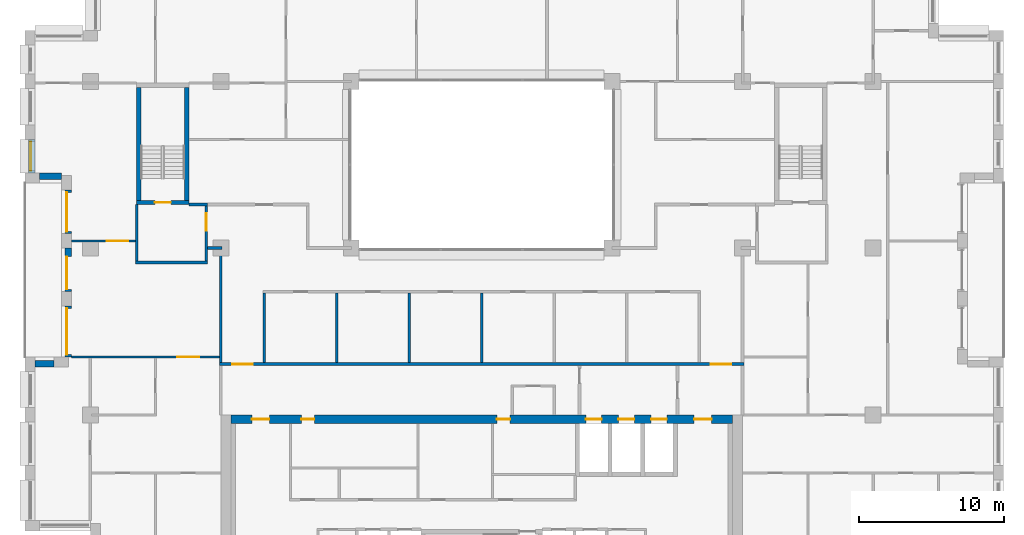
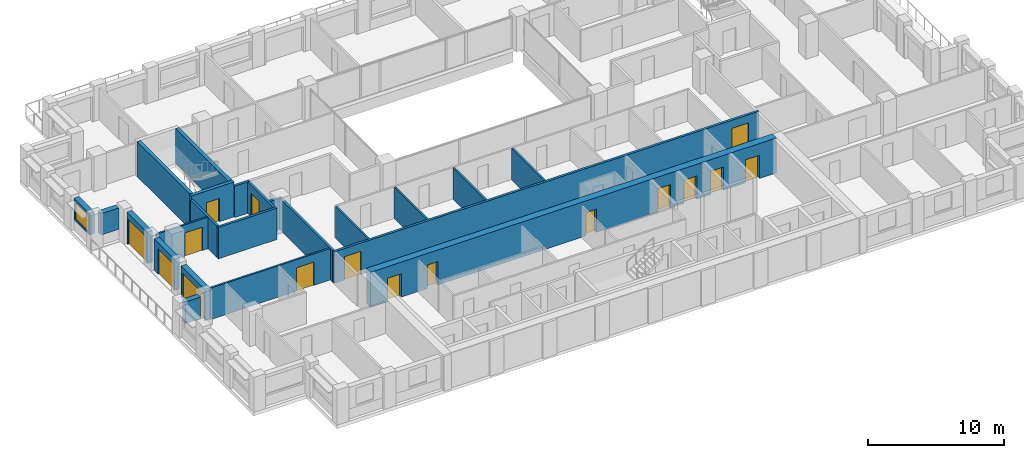
# One storey, part 9 of 15: 23 walls, 16 doors, 1 window, 17 openings.
"""IFC4 building model written with IfcOpenShell, lengths in metres."""

from ifc_helpers import new_model, si_unit, direction, frame, frame_2d, origin, place, context, subcontext, project, spatial, rectangle, extrude, material, layer, layer_set, type_object, element, fill, save


model = new_model("IFC4")

# Units and contexts
model_context = context("Model", 3, precision=1e-05, world=origin(), true_north=direction((0.0, 1.0)))
body_context = subcontext(model_context, "Body", "Model", "MODEL_VIEW")
ifc_project = project(units=[si_unit("LENGTHUNIT", "METRE"), si_unit("AREAUNIT", "SQUARE_METRE"), si_unit("VOLUMEUNIT", "CUBIC_METRE"), si_unit("PLANEANGLEUNIT", "RADIAN"), si_unit("MASSUNIT", "GRAM", prefix="KILO")], contexts=[model_context])

# Site, building, storey
site_placement = place(None, origin())
site = spatial("IfcSite", under=ifc_project, at=site_placement, CompositionType="ELEMENT")
building_placement = place(site_placement, origin())
building = spatial("IfcBuilding", under=site, at=building_placement, Name="Brigalow Station Residences", CompositionType="ELEMENT")
storey_placement = place(building_placement, frame((0.0, 0.0, 157.050048828125)))
storey = spatial("IfcBuildingStorey", under=building, at=storey_placement, Name="L45", CompositionType="ELEMENT", Elevation=157.050048828125)

# Wall, opening, window
ifc_material_1 = material(Name="Clay brick masonry", Category="masonry")
ifc_layer_1 = layer(ifc_material_1, 0.449951171875)
ifc_layer_set_1 = layer_set([ifc_layer_1], Name="BRICK INFILL WALL 450")
wall_type_1 = type_object("IfcWallType", Name="BRICK INFILL WALL 450", PredefinedType="SOLIDWALL", material=ifc_layer_set_1)
wall_1_placement = place(storey_placement, frame((4.97509765625, 31.5, 0.89990234375), z_axis=(0.0, 0.0, 1.0), x_axis=(0.0, -1.0, 0.0)))
wall_1 = element("IfcWall", 1, at=wall_1_placement, inside=storey, type_object=wall_type_1, Name="L45/ewall/W-L45-39", PredefinedType="SOLIDWALL", context=body_context, shape_type="SweptSolid", body=[
    extrude(rectangle(XDim=2.300048828125, YDim=0.449951171875, at=frame_2d((1.14990234375, 0.0))), origin(), (0.0, 0.0, 1.0), 1.929931640625),
])
opening_1_placement = place(wall_1_placement, frame((0.14990234375, 0.0, 0.14990234375)))
opening_1 = element("IfcOpeningElement", 2, at=opening_1_placement, cuts=wall_1, Name="Opening WT-7", PredefinedType="OPENING", context=body_context, shape_type="SweptSolid", body=[
    extrude(rectangle(XDim=2.0, YDim=1.5, at=frame_2d((1.0, 0.75))), frame((0.0, 0.23486328125, 0.0), z_axis=(0.0, -1.0, 0.0), x_axis=(1.0, 0.0, 0.0)), (0.0, 0.0, 1.0), 0.469970703125),
])
ifc_material_2 = material(Name="Anodised aluminium frame with double glazing", Category="aluminium")
window_type = type_object("IfcWindowType", Name="WINDOW 2000x1500", PartitioningType="SINGLE_PANEL", PredefinedType="WINDOW", material=ifc_material_2)
window_placement = place(opening_1_placement, origin())
window = element("IfcWindow", 3, at=window_placement, inside=storey, type_object=window_type, Name="L45/window/W-L45-39", OverallHeight=1.5, OverallWidth=2.0, PartitioningType="SINGLE_PANEL", PredefinedType="WINDOW", context=body_context, shape_type="SweptSolid", body=[
    extrude(rectangle(XDim=2.0, YDim=1.5, at=frame_2d((1.0, 0.75))), frame((0.0, -0.06494140625, 0.0), z_axis=(0.0, -1.0, 0.0), x_axis=(1.0, 0.0, 0.0)), (0.0, 0.0, 1.0), 0.06005859375),
])
fill(opening_1, window)

# Wall
wall_2_placement = place(storey_placement, frame((5.5, 28.97509765625, 0.89990234375), z_axis=(0.0, 0.0, 1.0), x_axis=(1.0, 0.0, 0.0)))
element("IfcWall", 4, at=wall_2_placement, inside=storey, type_object=wall_type_1, Name="L45/ewall/W-L45-40", PredefinedType="SOLIDWALL", context=body_context, shape_type="SweptSolid", body=[
    extrude(rectangle(XDim=1.5, YDim=0.449951171875, at=frame_2d((0.75, 0.0))), origin(), (0.0, 0.0, 1.0), 1.929931640625),
])

# Wall, opening, door
wall_3_placement = place(storey_placement, frame((7.47509765625, 28.0, 0.0), z_axis=(0.0, 0.0, 1.0), x_axis=(0.0, -1.0, 0.0)))
wall_3 = element("IfcWall", 5, at=wall_3_placement, inside=storey, type_object=wall_type_1, Name="L45/ewall/W-L45-41", PredefinedType="SOLIDWALL", context=body_context, shape_type="SweptSolid", body=[
    extrude(rectangle(XDim=3.0, YDim=0.449951171875, at=frame_2d((1.5, 0.0))), origin(), (0.0, 0.0, 1.0), 2.829833984375),
])
opening_2_placement = place(wall_3_placement, frame((0.14990234375, 0.0, 0.0)))
opening_2 = element("IfcOpeningElement", 6, at=opening_2_placement, cuts=wall_3, Name="Opening D-B2700", PredefinedType="OPENING", context=body_context, shape_type="SweptSolid", body=[
    extrude(rectangle(XDim=2.699951171875, YDim=2.300048828125, at=frame_2d((1.35009765625, 1.14990234375))), frame((0.0, 0.23486328125, 0.0), z_axis=(0.0, -1.0, 0.0), x_axis=(1.0, 0.0, 0.0)), (0.0, 0.0, 1.0), 0.469970703125),
])
ifc_material_3 = material(Name="Anodised aluminium frame with double glazing", Category="aluminium")
door_type_1 = type_object("IfcDoorType", Name="BALCONY SLIDING DOOR 2700x2300", OperationType="SLIDING_TO_LEFT", PredefinedType="DOOR", material=ifc_material_3)
door_1_placement = place(opening_2_placement, origin())
door_1 = element("IfcDoor", 7, at=door_1_placement, inside=storey, type_object=door_type_1, Name="L45/balcony-door/W-L45-41", OperationType="SLIDING_TO_LEFT", OverallHeight=2.300048828125, OverallWidth=2.699951171875, PredefinedType="DOOR", context=body_context, shape_type="SweptSolid", body=[
    extrude(rectangle(XDim=2.699951171875, YDim=2.300048828125, at=frame_2d((1.35009765625, 1.14990234375))), frame((0.0, -0.06982421875, 0.0), z_axis=(0.0, -1.0, 0.0), x_axis=(1.0, 0.0, 0.0)), (0.0, 0.0, 1.0), 0.050048828125),
])
fill(opening_2, door_1)

wall_4_placement = place(storey_placement, frame((7.47509765625, 24.0, 0.0), z_axis=(0.0, 0.0, 1.0), x_axis=(0.0, -1.0, 0.0)))
wall_4 = element("IfcWall", 8, at=wall_4_placement, inside=storey, type_object=wall_type_1, Name="L45/ewall/W-L45-42", PredefinedType="SOLIDWALL", context=body_context, shape_type="SweptSolid", body=[
    extrude(rectangle(XDim=3.0, YDim=0.449951171875, at=frame_2d((1.5, 0.0))), origin(), (0.0, 0.0, 1.0), 2.829833984375),
])
opening_3_placement = place(wall_4_placement, frame((0.5849609375, 0.0, 0.0)))
opening_3 = element("IfcOpeningElement", 9, at=opening_3_placement, cuts=wall_4, Name="Opening D-B2250", PredefinedType="OPENING", context=body_context, shape_type="SweptSolid", body=[
    extrude(rectangle(XDim=2.25, YDim=2.300048828125, at=frame_2d((1.125, 1.14990234375))), frame((0.0, 0.23486328125, 0.0), z_axis=(0.0, -1.0, 0.0), x_axis=(1.0, 0.0, 0.0)), (0.0, 0.0, 1.0), 0.469970703125),
])
ifc_material_4 = material(Name="Anodised aluminium frame with double glazing", Category="aluminium")
door_type_2 = type_object("IfcDoorType", Name="BALCONY SLIDING DOOR 2250x2300", OperationType="SLIDING_TO_LEFT", PredefinedType="DOOR", material=ifc_material_4)
door_2_placement = place(opening_3_placement, origin())
door_2 = element("IfcDoor", 10, at=door_2_placement, inside=storey, type_object=door_type_2, Name="L45/balcony-door/W-L45-42", OperationType="SLIDING_TO_LEFT", OverallHeight=2.300048828125, OverallWidth=2.25, PredefinedType="DOOR", context=body_context, shape_type="SweptSolid", body=[
    extrude(rectangle(XDim=2.25, YDim=2.300048828125, at=frame_2d((1.125, 1.14990234375))), frame((0.0, -0.06982421875, 0.0), z_axis=(0.0, -1.0, 0.0), x_axis=(1.0, 0.0, 0.0)), (0.0, 0.0, 1.0), 0.050048828125),
])
fill(opening_3, door_2)

wall_5_placement = place(storey_placement, frame((7.47509765625, 20.0, 0.0), z_axis=(0.0, 0.0, 1.0), x_axis=(0.0, -1.0, 0.0)))
wall_5 = element("IfcWall", 11, at=wall_5_placement, inside=storey, type_object=wall_type_1, Name="L45/ewall/W-L45-43", PredefinedType="SOLIDWALL", context=body_context, shape_type="SweptSolid", body=[
    extrude(rectangle(XDim=3.5, YDim=0.449951171875, at=frame_2d((1.75, 0.0))), origin(), (0.0, 0.0, 1.0), 2.829833984375),
])
opening_4_placement = place(wall_5_placement, frame((0.14990234375, 0.0, 0.0)))
opening_4 = element("IfcOpeningElement", 12, at=opening_4_placement, cuts=wall_5, Name="Opening D-B3200", PredefinedType="OPENING", context=body_context, shape_type="SweptSolid", body=[
    extrude(rectangle(XDim=3.199951171875, YDim=2.300048828125, at=frame_2d((1.60009765625, 1.14990234375))), frame((0.0, 0.23486328125, 0.0), z_axis=(0.0, -1.0, 0.0), x_axis=(1.0, 0.0, 0.0)), (0.0, 0.0, 1.0), 0.469970703125),
])
ifc_material_5 = material(Name="Anodised aluminium frame with double glazing", Category="aluminium")
door_type_3 = type_object("IfcDoorType", Name="BALCONY SLIDING DOOR 3200x2300", OperationType="SLIDING_TO_LEFT", PredefinedType="DOOR", material=ifc_material_5)
door_3_placement = place(opening_4_placement, origin())
door_3 = element("IfcDoor", 13, at=door_3_placement, inside=storey, type_object=door_type_3, Name="L45/balcony-door/W-L45-43", OperationType="SLIDING_TO_LEFT", OverallHeight=2.300048828125, OverallWidth=3.199951171875, PredefinedType="DOOR", context=body_context, shape_type="SweptSolid", body=[
    extrude(rectangle(XDim=3.199951171875, YDim=2.300048828125, at=frame_2d((1.60009765625, 1.14990234375))), frame((0.0, -0.06982421875, 0.0), z_axis=(0.0, -1.0, 0.0), x_axis=(1.0, 0.0, 0.0)), (0.0, 0.0, 1.0), 0.050048828125),
])
fill(opening_4, door_3)

# Wall
wall_6_placement = place(storey_placement, frame((6.5, 16.02490234375, 0.89990234375), z_axis=(0.0, 0.0, 1.0), x_axis=(-1.0, 0.0, 0.0)))
element("IfcWall", 14, at=wall_6_placement, inside=storey, type_object=wall_type_1, Name="L45/ewall/W-L45-44", PredefinedType="SOLIDWALL", context=body_context, shape_type="SweptSolid", body=[
    extrude(rectangle(XDim=1.300048828125, YDim=0.449951171875, at=frame_2d((0.64990234375, 0.0))), origin(), (0.0, 0.0, 1.0), 1.929931640625),
])

# Wall, opening, door
ifc_material_6 = material(Name="Concrete C65", Category="concrete")
ifc_layer_2 = layer(ifc_material_6, 0.300048828125)
ifc_layer_set_2 = layer_set([ifc_layer_2], Name="CORE SHEAR WALL 300 C65")
wall_type_2 = type_object("IfcWallType", Name="CORE SHEAR WALL 300 C65", PredefinedType="SHEAR", material=ifc_layer_set_2)
wall_7_placement = place(storey_placement, frame((12.199951171875, 27.14990234375, 0.0), z_axis=(0.0, 0.0, 1.0), x_axis=(1.0, 0.0, 0.0)))
wall_7 = element("IfcWall", 15, at=wall_7_placement, inside=storey, type_object=wall_type_2, Name="CORE WALL ST-S1-S L45", PredefinedType="SHEAR", context=body_context, shape_type="SweptSolid", body=[
    extrude(rectangle(XDim=3.60009765625, YDim=0.300048828125, at=frame_2d((1.800048828125, 0.0))), origin(), (0.0, 0.0, 1.0), 3.14990234375),
])
opening_5_placement = place(wall_7_placement, frame((1.25, 0.0, 0.0)))
opening_5 = element("IfcOpeningElement", 16, at=opening_5_placement, cuts=wall_7, Name="Opening D-5015", PredefinedType="OPENING", context=body_context, shape_type="SweptSolid", body=[
    extrude(rectangle(XDim=1.10009765625, YDim=2.10009765625, at=frame_2d((0.550048828125, 1.050048828125))), frame((0.0, 0.16015625, 0.0), z_axis=(0.0, -1.0, 0.0), x_axis=(1.0, 0.0, 0.0)), (0.0, 0.0, 1.0), 0.320068359375),
])
ifc_material_7 = material(Name="Steel fire door leaf in steel frame", Category="steel")
door_type_4 = type_object("IfcDoorType", Name="STAIR DOOR 1100 x 2100 FD60S", OperationType="SINGLE_SWING_LEFT", PredefinedType="DOOR", material=ifc_material_7)
door_4_placement = place(opening_5_placement, origin())
door_4 = element("IfcDoor", 17, at=door_4_placement, inside=storey, type_object=door_type_4, Name="D-5015", OperationType="SINGLE_SWING_LEFT", OverallHeight=2.10009765625, OverallWidth=1.10009765625, PredefinedType="DOOR", context=body_context, shape_type="SweptSolid", body=[
    extrude(rectangle(XDim=1.10009765625, YDim=2.10009765625, at=frame_2d((0.550048828125, 1.050048828125))), frame((0.0, 0.02490234375, 0.0), z_axis=(0.0, -1.0, 0.0), x_axis=(1.0, 0.0, 0.0)), (0.0, 0.0, 1.0), 0.050048828125),
])
fill(opening_5, door_4)

# Walls
for number, where, z_axis, x_axis, name in (
    (18, (12.35009765625, 27.300048828125, 0.0), (0.0, 0.0, 1.0), (0.0, 1.0, 0.0), "CORE WALL ST-S1-W L45"),
    (19, (15.64990234375, 27.300048828125, 0.0), (0.0, 0.0, 1.0), (0.0, 1.0, 0.0), "CORE WALL ST-S1-E L45"),
):
    element("IfcWall", number, at=place(storey_placement, frame(where, z_axis=z_axis, x_axis=x_axis)), inside=storey, type_object=wall_type_2, Name=name, PredefinedType="SHEAR", context=body_context, shape_type="SweptSolid", body=[
        extrude(rectangle(XDim=7.800048828125, YDim=0.300048828125, at=frame_2d((3.89990234375, 0.0))), origin(), (0.0, 0.0, 1.0), 3.14990234375),
    ])

# Wall, openings, doors
ifc_material_8 = material(Name="Concrete C65", Category="concrete")
ifc_layer_3 = layer(ifc_material_8, 0.60009765625)
ifc_layer_set_3 = layer_set([ifc_layer_3], Name="CORE SHEAR WALL 600 C65")
wall_type_3 = type_object("IfcWallType", Name="CORE SHEAR WALL 600 C65", PredefinedType="SHEAR", material=ifc_layer_set_3)
wall_8_placement = place(storey_placement, frame((18.699951171875, 12.199951171875, 0.0), z_axis=(0.0, 0.0, 1.0), x_axis=(1.0, 0.0, 0.0)))
wall_8 = element("IfcWall", 20, at=wall_8_placement, inside=storey, type_object=wall_type_3, Name="CORE WALL OUT-N L45", PredefinedType="SHEAR", context=body_context, shape_type="SweptSolid", body=[
    extrude(rectangle(XDim=34.60009765625, YDim=0.60009765625, at=frame_2d((17.300048828125, 0.0))), origin(), (0.0, 0.0, 1.0), 3.14990234375),
])
opening_6_placement = place(wall_8_placement, frame((24.47509765625, 0.0, 0.0)))
opening_6 = element("IfcOpeningElement", 21, at=opening_6_placement, cuts=wall_8, Name="Opening LD-LF1", PredefinedType="OPENING", context=body_context, shape_type="SweptSolid", body=[
    extrude(rectangle(XDim=1.10009765625, YDim=2.10009765625, at=frame_2d((0.550048828125, 1.050048828125))), frame((0.0, 0.31005859375, 0.0), z_axis=(0.0, -1.0, 0.0), x_axis=(1.0, 0.0, 0.0)), (0.0, 0.0, 1.0), 0.6201171875),
])
opening_7_placement = place(wall_8_placement, frame((26.72509765625, 0.0, 0.0)))
opening_7 = element("IfcOpeningElement", 22, at=opening_7_placement, cuts=wall_8, Name="Opening LD-LF2", PredefinedType="OPENING", context=body_context, shape_type="SweptSolid", body=[
    extrude(rectangle(XDim=1.10009765625, YDim=2.10009765625, at=frame_2d((0.550048828125, 1.050048828125))), frame((0.0, 0.31005859375, 0.0), z_axis=(0.0, -1.0, 0.0), x_axis=(1.0, 0.0, 0.0)), (0.0, 0.0, 1.0), 0.6201171875),
])
opening_8_placement = place(wall_8_placement, frame((28.97509765625, 0.0, 0.0)))
opening_8 = element("IfcOpeningElement", 23, at=opening_8_placement, cuts=wall_8, Name="Opening LD-LG1", PredefinedType="OPENING", context=body_context, shape_type="SweptSolid", body=[
    extrude(rectangle(XDim=1.10009765625, YDim=2.10009765625, at=frame_2d((0.550048828125, 1.050048828125))), frame((0.0, 0.31005859375, 0.0), z_axis=(0.0, -1.0, 0.0), x_axis=(1.0, 0.0, 0.0)), (0.0, 0.0, 1.0), 0.6201171875),
])
opening_9_placement = place(wall_8_placement, frame((4.85009765625, 0.0, 0.0)))
opening_9 = element("IfcOpeningElement", 24, at=opening_9_placement, cuts=wall_8, Name="Opening D-5118", PredefinedType="OPENING", context=body_context, shape_type="SweptSolid", body=[
    extrude(rectangle(XDim=0.89990234375, YDim=2.10009765625, at=frame_2d((0.449951171875, 1.050048828125))), frame((0.0, 0.31005859375, 0.0), z_axis=(0.0, -1.0, 0.0), x_axis=(1.0, 0.0, 0.0)), (0.0, 0.0, 1.0), 0.6201171875),
])
opening_10_placement = place(wall_8_placement, frame((18.35009765625, 0.0, 0.0)))
opening_10 = element("IfcOpeningElement", 25, at=opening_10_placement, cuts=wall_8, Name="Opening D-5119", PredefinedType="OPENING", context=body_context, shape_type="SweptSolid", body=[
    extrude(rectangle(XDim=0.89990234375, YDim=2.10009765625, at=frame_2d((0.449951171875, 1.050048828125))), frame((0.0, 0.31005859375, 0.0), z_axis=(0.0, -1.0, 0.0), x_axis=(1.0, 0.0, 0.0)), (0.0, 0.0, 1.0), 0.6201171875),
])
opening_11_placement = place(wall_8_placement, frame((1.449951171875, 0.0, 0.0)))
opening_11 = element("IfcOpeningElement", 26, at=opening_11_placement, cuts=wall_8, Name="Opening D-5011", PredefinedType="OPENING", context=body_context, shape_type="SweptSolid", body=[
    extrude(rectangle(XDim=1.199951171875, YDim=2.10009765625, at=frame_2d((0.60009765625, 1.050048828125))), frame((0.0, 0.31005859375, 0.0), z_axis=(0.0, -1.0, 0.0), x_axis=(1.0, 0.0, 0.0)), (0.0, 0.0, 1.0), 0.6201171875),
])
opening_12_placement = place(wall_8_placement, frame((31.949951171875, 0.0, 0.0)))
opening_12 = element("IfcOpeningElement", 27, at=opening_12_placement, cuts=wall_8, Name="Opening D-5012", PredefinedType="OPENING", context=body_context, shape_type="SweptSolid", body=[
    extrude(rectangle(XDim=1.199951171875, YDim=2.10009765625, at=frame_2d((0.60009765625, 1.050048828125))), frame((0.0, 0.31005859375, 0.0), z_axis=(0.0, -1.0, 0.0), x_axis=(1.0, 0.0, 0.0)), (0.0, 0.0, 1.0), 0.6201171875),
])
ifc_material_9 = material(Name="Steel fire door leaf in steel frame", Category="steel")
door_type_5 = type_object("IfcDoorType", Name="CORE CORRIDOR DOOR 1200 x 2100 FD60S", OperationType="SINGLE_SWING_LEFT", PredefinedType="DOOR", material=ifc_material_9)
door_5_placement = place(opening_11_placement, frame((1.199951171875, 0.0, 0.0), z_axis=(0.0, 0.0, 1.0), x_axis=(-1.0, 0.0, 0.0)))
door_5 = element("IfcDoor", 28, at=door_5_placement, inside=storey, type_object=door_type_5, Name="D-5011", OperationType="SINGLE_SWING_LEFT", OverallHeight=2.10009765625, OverallWidth=1.199951171875, PredefinedType="DOOR", context=body_context, shape_type="SweptSolid", body=[
    extrude(rectangle(XDim=1.199951171875, YDim=2.10009765625, at=frame_2d((0.60009765625, 1.050048828125))), frame((0.0, 0.02490234375, 0.0), z_axis=(0.0, -1.0, 0.0), x_axis=(1.0, 0.0, 0.0)), (0.0, 0.0, 1.0), 0.050048828125),
])
fill(opening_11, door_5)
door_6_placement = place(opening_12_placement, frame((1.199951171875, 0.0, 0.0), z_axis=(0.0, 0.0, 1.0), x_axis=(-1.0, 0.0, 0.0)))
door_6 = element("IfcDoor", 29, at=door_6_placement, inside=storey, type_object=door_type_5, Name="D-5012", OperationType="SINGLE_SWING_LEFT", OverallHeight=2.10009765625, OverallWidth=1.199951171875, PredefinedType="DOOR", context=body_context, shape_type="SweptSolid", body=[
    extrude(rectangle(XDim=1.199951171875, YDim=2.10009765625, at=frame_2d((0.60009765625, 1.050048828125))), frame((0.0, 0.02490234375, 0.0), z_axis=(0.0, -1.0, 0.0), x_axis=(1.0, 0.0, 0.0)), (0.0, 0.0, 1.0), 0.050048828125),
])
fill(opening_12, door_6)
ifc_material_10 = material(Name="Stainless steel sliding door leaves", Category="steel")
door_type_6 = type_object("IfcDoorType", Name="LIFT LANDING DOOR 1100 x 2100", OperationType="DOUBLE_DOOR_SLIDING", PredefinedType="DOOR", material=ifc_material_10)
door_7_placement = place(opening_6_placement, origin())
door_7 = element("IfcDoor", 30, at=door_7_placement, inside=storey, type_object=door_type_6, Name="LANDING DOOR LF1", OperationType="DOUBLE_DOOR_SLIDING", OverallHeight=2.10009765625, OverallWidth=1.10009765625, PredefinedType="DOOR", context=body_context, shape_type="SweptSolid", body=[
    extrude(rectangle(XDim=1.10009765625, YDim=2.10009765625, at=frame_2d((0.550048828125, 1.050048828125))), frame((0.0, 0.02490234375, 0.0), z_axis=(0.0, -1.0, 0.0), x_axis=(1.0, 0.0, 0.0)), (0.0, 0.0, 1.0), 0.050048828125),
])
fill(opening_6, door_7)
door_8_placement = place(opening_7_placement, origin())
door_8 = element("IfcDoor", 31, at=door_8_placement, inside=storey, type_object=door_type_6, Name="LANDING DOOR LF2", OperationType="DOUBLE_DOOR_SLIDING", OverallHeight=2.10009765625, OverallWidth=1.10009765625, PredefinedType="DOOR", context=body_context, shape_type="SweptSolid", body=[
    extrude(rectangle(XDim=1.10009765625, YDim=2.10009765625, at=frame_2d((0.550048828125, 1.050048828125))), frame((0.0, 0.02490234375, 0.0), z_axis=(0.0, -1.0, 0.0), x_axis=(1.0, 0.0, 0.0)), (0.0, 0.0, 1.0), 0.050048828125),
])
fill(opening_7, door_8)
door_9_placement = place(opening_8_placement, origin())
door_9 = element("IfcDoor", 32, at=door_9_placement, inside=storey, type_object=door_type_6, Name="LANDING DOOR LG1", OperationType="DOUBLE_DOOR_SLIDING", OverallHeight=2.10009765625, OverallWidth=1.10009765625, PredefinedType="DOOR", context=body_context, shape_type="SweptSolid", body=[
    extrude(rectangle(XDim=1.10009765625, YDim=2.10009765625, at=frame_2d((0.550048828125, 1.050048828125))), frame((0.0, 0.02490234375, 0.0), z_axis=(0.0, -1.0, 0.0), x_axis=(1.0, 0.0, 0.0)), (0.0, 0.0, 1.0), 0.050048828125),
])
fill(opening_8, door_9)
ifc_material_11 = material(Name="Steel door leaf in steel frame", Category="steel")
door_type_7 = type_object("IfcDoorType", Name="SERVICE ROOM DOOR 900 x 2100 FD60", OperationType="SINGLE_SWING_LEFT", PredefinedType="DOOR", material=ifc_material_11)
door_10_placement = place(opening_9_placement, frame((0.89990234375, 0.0, 0.0), z_axis=(0.0, 0.0, 1.0), x_axis=(-1.0, 0.0, 0.0)))
door_10 = element("IfcDoor", 33, at=door_10_placement, inside=storey, type_object=door_type_7, Name="D-5118", OperationType="SINGLE_SWING_RIGHT", OverallHeight=2.10009765625, OverallWidth=0.89990234375, PredefinedType="DOOR", context=body_context, shape_type="SweptSolid", body=[
    extrude(rectangle(XDim=0.89990234375, YDim=2.10009765625, at=frame_2d((0.449951171875, 1.050048828125))), frame((0.0, 0.02490234375, 0.0), z_axis=(0.0, -1.0, 0.0), x_axis=(1.0, 0.0, 0.0)), (0.0, 0.0, 1.0), 0.050048828125),
])
fill(opening_9, door_10)
door_11_placement = place(opening_10_placement, frame((0.89990234375, 0.0, 0.0), z_axis=(0.0, 0.0, 1.0), x_axis=(-1.0, 0.0, 0.0)))
door_11 = element("IfcDoor", 34, at=door_11_placement, inside=storey, type_object=door_type_7, Name="D-5119", OperationType="SINGLE_SWING_RIGHT", OverallHeight=2.10009765625, OverallWidth=0.89990234375, PredefinedType="DOOR", context=body_context, shape_type="SweptSolid", body=[
    extrude(rectangle(XDim=0.89990234375, YDim=2.10009765625, at=frame_2d((0.449951171875, 1.050048828125))), frame((0.0, 0.02490234375, 0.0), z_axis=(0.0, -1.0, 0.0), x_axis=(1.0, 0.0, 0.0)), (0.0, 0.0, 1.0), 0.050048828125),
])
fill(opening_10, door_11)

# Walls
ifc_material_12 = material(Name="Concrete blockwork", Category="masonry")
ifc_layer_4 = layer(ifc_material_12, 0.199951171875)
ifc_layer_set_4 = layer_set([ifc_layer_4], Name="FIRE RATED CORE PARTITION 200")
wall_type_4 = type_object("IfcWallType", Name="FIRE RATED CORE PARTITION 200", PredefinedType="PARTITIONING", material=ifc_layer_set_4)
wall_9_placement = place(storey_placement, frame((12.10009765625, 23.0, 0.0), z_axis=(0.0, 0.0, 1.0), x_axis=(1.0, 0.0, 0.0)))
element("IfcWall", 35, at=wall_9_placement, inside=storey, type_object=wall_type_4, Name="PW-5023", PredefinedType="PARTITIONING", context=body_context, shape_type="SweptSolid", body=[
    extrude(rectangle(XDim=5.0, YDim=0.199951171875, at=frame_2d((2.5, 0.0))), origin(), (0.0, 0.0, 1.0), 2.829833984375),
])
wall_10_placement = place(storey_placement, frame((15.800048828125, 27.0, 0.0), z_axis=(0.0, 0.0, 1.0), x_axis=(1.0, 0.0, 0.0)))
element("IfcWall", 36, at=wall_10_placement, inside=storey, type_object=wall_type_4, Name="PW-5025", PredefinedType="PARTITIONING", context=body_context, shape_type="SweptSolid", body=[
    extrude(rectangle(XDim=1.300048828125, YDim=0.199951171875, at=frame_2d((0.64990234375, 0.0))), origin(), (0.0, 0.0, 1.0), 2.829833984375),
])
wall_11_placement = place(storey_placement, frame((12.199951171875, 23.10009765625, 0.0), z_axis=(0.0, 0.0, 1.0), x_axis=(0.0, 1.0, 0.0)))
element("IfcWall", 37, at=wall_11_placement, inside=storey, type_object=wall_type_4, Name="PW-5034", PredefinedType="PARTITIONING", context=body_context, shape_type="SweptSolid", body=[
    extrude(rectangle(XDim=3.89990234375, YDim=0.199951171875, at=frame_2d((1.949951171875, 0.0))), origin(), (0.0, 0.0, 1.0), 2.829833984375),
])

# Wall, opening, door
wall_12_placement = place(storey_placement, frame((17.0, 23.10009765625, 0.0), z_axis=(0.0, 0.0, 1.0), x_axis=(0.0, 1.0, 0.0)))
wall_12 = element("IfcWall", 38, at=wall_12_placement, inside=storey, type_object=wall_type_4, Name="PW-5035", PredefinedType="PARTITIONING", context=body_context, shape_type="SweptSolid", body=[
    extrude(rectangle(XDim=3.7998046875, YDim=0.199951171875, at=frame_2d((1.89990234375, 0.0))), origin(), (0.0, 0.0, 1.0), 2.829833984375),
])
opening_13_placement = place(wall_12_placement, frame((2.10009765625, 0.0, 0.0)))
opening_13 = element("IfcOpeningElement", 39, at=opening_13_placement, cuts=wall_12, Name="Opening D-5016", PredefinedType="OPENING", context=body_context, shape_type="SweptSolid", body=[
    extrude(rectangle(XDim=1.199951171875, YDim=2.10009765625, at=frame_2d((0.60009765625, 1.050048828125))), frame((0.0, 0.10986328125, 0.0), z_axis=(0.0, -1.0, 0.0), x_axis=(1.0, 0.0, 0.0)), (0.0, 0.0, 1.0), 0.219970703125),
])
ifc_material_13 = material(Name="Steel fire door leaf in steel frame", Category="steel")
door_type_8 = type_object("IfcDoorType", Name="STAIR LOBBY DOOR 1200 x 2100 FD60S", OperationType="SINGLE_SWING_LEFT", PredefinedType="DOOR", material=ifc_material_13)
door_12_placement = place(opening_13_placement, origin())
door_12 = element("IfcDoor", 40, at=door_12_placement, inside=storey, type_object=door_type_8, Name="D-5016", OperationType="SINGLE_SWING_RIGHT", OverallHeight=2.10009765625, OverallWidth=1.199951171875, PredefinedType="DOOR", context=body_context, shape_type="SweptSolid", body=[
    extrude(rectangle(XDim=1.199951171875, YDim=2.10009765625, at=frame_2d((0.60009765625, 1.050048828125))), frame((0.0, 0.02490234375, 0.0), z_axis=(0.0, -1.0, 0.0), x_axis=(1.0, 0.0, 0.0)), (0.0, 0.0, 1.0), 0.050048828125),
])
fill(opening_13, door_12)

ifc_material_14 = material(Name="Plasterboard on steel stud partition", Category="steel")
ifc_layer_5 = layer(ifc_material_14, 0.14990234375)
ifc_layer_set_5 = layer_set([ifc_layer_5], Name="FLAT PARTITION 150")
wall_type_5 = type_object("IfcWallType", Name="FLAT PARTITION 150", PredefinedType="PARTITIONING", material=ifc_layer_set_5)
wall_13_placement = place(storey_placement, frame((7.699951171875, 24.5, 0.0), z_axis=(0.0, 0.0, 1.0), x_axis=(1.0, 0.0, 0.0)))
wall_13 = element("IfcWall", 41, at=wall_13_placement, inside=storey, type_object=wall_type_5, Name="PW-3B17", PredefinedType="PARTITIONING", context=body_context, shape_type="SweptSolid", body=[
    extrude(rectangle(XDim=4.400146484375, YDim=0.14990234375, at=frame_2d((2.2001953125, 0.0))), origin(), (0.0, 0.0, 1.0), 2.829833984375),
])
opening_14_placement = place(wall_13_placement, frame((2.425048828125, 0.0, 0.0)))
opening_14 = element("IfcOpeningElement", 42, at=opening_14_placement, cuts=wall_13, Name="Opening D-3B11", PredefinedType="OPENING", context=body_context, shape_type="SweptSolid", body=[
    extrude(rectangle(XDim=1.5, YDim=2.10009765625, at=frame_2d((0.75, 1.050048828125))), frame((0.0, 0.0849609375, 0.0), z_axis=(0.0, -1.0, 0.0), x_axis=(1.0, 0.0, 0.0)), (0.0, 0.0, 1.0), 0.169921875),
])
ifc_material_15 = material(Name="Solid-core timber door leaf", Category="wood")
door_type_9 = type_object("IfcDoorType", Name="INTERNAL DOUBLE DOOR 1500 x 2100", OperationType="DOUBLE_DOOR_SINGLE_SWING", PredefinedType="DOOR", material=ifc_material_15)
door_13_placement = place(opening_14_placement, origin())
door_13 = element("IfcDoor", 43, at=door_13_placement, inside=storey, type_object=door_type_9, Name="D-3B11", OperationType="DOUBLE_DOOR_SINGLE_SWING", OverallHeight=2.10009765625, OverallWidth=1.5, PredefinedType="DOOR", context=body_context, shape_type="SweptSolid", body=[
    extrude(rectangle(XDim=1.5, YDim=2.10009765625, at=frame_2d((0.75, 1.050048828125))), frame((0.0, 0.02490234375, 0.0), z_axis=(0.0, -1.0, 0.0), x_axis=(1.0, 0.0, 0.0)), (0.0, 0.0, 1.0), 0.050048828125),
])
fill(opening_14, door_13)

wall_14_placement = place(storey_placement, frame((7.699951171875, 16.5, 0.0), z_axis=(0.0, 0.0, 1.0), x_axis=(1.0, 0.0, 0.0)))
wall_14 = element("IfcWall", 44, at=wall_14_placement, inside=storey, type_object=wall_type_5, Name="PW-3B19", PredefinedType="PARTITIONING", context=body_context, shape_type="SweptSolid", body=[
    extrude(rectangle(XDim=10.199951171875, YDim=0.14990234375, at=frame_2d((5.10009765625, 0.0))), origin(), (0.0, 0.0, 1.0), 2.829833984375),
])
opening_15_placement = place(wall_14_placement, frame((7.300048828125, 0.0, 0.0)))
opening_15 = element("IfcOpeningElement", 45, at=opening_15_placement, cuts=wall_14, Name="Opening D-3B12", PredefinedType="OPENING", context=body_context, shape_type="SweptSolid", body=[
    extrude(rectangle(XDim=1.5, YDim=2.10009765625, at=frame_2d((0.75, 1.050048828125))), frame((0.0, 0.0849609375, 0.0), z_axis=(0.0, -1.0, 0.0), x_axis=(1.0, 0.0, 0.0)), (0.0, 0.0, 1.0), 0.169921875),
])
door_14_placement = place(opening_15_placement, frame((1.5, 0.0, 0.0), z_axis=(0.0, 0.0, 1.0), x_axis=(-1.0, 0.0, 0.0)))
door_14 = element("IfcDoor", 46, at=door_14_placement, inside=storey, type_object=door_type_9, Name="D-3B12", OperationType="DOUBLE_DOOR_SINGLE_SWING", OverallHeight=2.10009765625, OverallWidth=1.5, PredefinedType="DOOR", context=body_context, shape_type="SweptSolid", body=[
    extrude(rectangle(XDim=1.5, YDim=2.10009765625, at=frame_2d((0.75, 1.050048828125))), frame((0.0, 0.02490234375, 0.0), z_axis=(0.0, -1.0, 0.0), x_axis=(1.0, 0.0, 0.0)), (0.0, 0.0, 1.0), 0.050048828125),
])
fill(opening_15, door_14)

# Walls
for number, where, z_axis, x_axis, name in (
    (47, (21.0, 16.10009765625, 0.0), (0.0, 0.0, 1.0), (0.0, 1.0, 0.0), "PW-3B30"),
    (48, (26.0, 16.10009765625, 0.0), (0.0, 0.0, 1.0), (0.0, 1.0, 0.0), "PW-3B49"),
    (49, (31.0, 16.10009765625, 0.0), (0.0, 0.0, 1.0), (0.0, 1.0, 0.0), "PW-3B50"),
    (50, (36.0, 16.10009765625, 0.0), (0.0, 0.0, 1.0), (0.0, 1.0, 0.0), "PW-3B51"),
):
    element("IfcWall", number, at=place(storey_placement, frame(where, z_axis=z_axis, x_axis=x_axis)), inside=storey, type_object=wall_type_5, Name=name, PredefinedType="PARTITIONING", context=body_context, shape_type="SweptSolid", body=[
        extrude(rectangle(XDim=4.824951171875, YDim=0.14990234375, at=frame_2d((2.41259765625, 0.0))), origin(), (0.0, 0.0, 1.0), 2.829833984375),
    ])
ifc_material_16 = material(Name="Plasterboard on steel stud partition", Category="steel")
ifc_layer_6 = layer(ifc_material_16, 0.199951171875)
ifc_layer_set_6 = layer_set([ifc_layer_6], Name="PARTY AND CORRIDOR WALL 200")
wall_type_6 = type_object("IfcWallType", Name="PARTY AND CORRIDOR WALL 200", PredefinedType="PARTITIONING", material=ifc_layer_set_6)
wall_15_placement = place(storey_placement, frame((17.10009765625, 24.0, 0.0), z_axis=(0.0, 0.0, 1.0), x_axis=(1.0, 0.0, 0.0)))
element("IfcWall", 51, at=wall_15_placement, inside=storey, type_object=wall_type_6, Name="PW-3B01", PredefinedType="PARTITIONING", context=body_context, shape_type="SweptSolid", body=[
    extrude(rectangle(XDim=1.0, YDim=0.199951171875, at=frame_2d((0.5, 0.0))), origin(), (0.0, 0.0, 1.0), 2.829833984375),
])

# Wall, openings, doors
wall_16_placement = place(storey_placement, frame((17.89990234375, 16.0, 0.0), z_axis=(0.0, 0.0, 1.0), x_axis=(1.0, 0.0, 0.0)))
wall_16 = element("IfcWall", 52, at=wall_16_placement, inside=storey, type_object=wall_type_6, Name="PW-3B26", PredefinedType="PARTITIONING", context=body_context, shape_type="SweptSolid", body=[
    extrude(rectangle(XDim=36.2001953125, YDim=0.199951171875, at=frame_2d((18.10009765625, 0.0))), origin(), (0.0, 0.0, 1.0), 2.829833984375),
])
opening_16_placement = place(wall_16_placement, frame((0.89990234375, 0.0, 0.0)))
opening_16 = element("IfcOpeningElement", 53, at=opening_16_placement, cuts=wall_16, Name="Opening D-3B01", PredefinedType="OPENING", context=body_context, shape_type="SweptSolid", body=[
    extrude(rectangle(XDim=1.39990234375, YDim=2.10009765625, at=frame_2d((0.699951171875, 1.050048828125))), frame((0.0, 0.10986328125, 0.0), z_axis=(0.0, -1.0, 0.0), x_axis=(1.0, 0.0, 0.0)), (0.0, 0.0, 1.0), 0.219970703125),
])
opening_17_placement = place(wall_16_placement, frame((33.89990234375, 0.0, 0.0)))
opening_17 = element("IfcOpeningElement", 54, at=opening_17_placement, cuts=wall_16, Name="Opening D-3B02", PredefinedType="OPENING", context=body_context, shape_type="SweptSolid", body=[
    extrude(rectangle(XDim=1.39990234375, YDim=2.10009765625, at=frame_2d((0.699951171875, 1.050048828125))), frame((0.0, 0.10986328125, 0.0), z_axis=(0.0, -1.0, 0.0), x_axis=(1.0, 0.0, 0.0)), (0.0, 0.0, 1.0), 0.219970703125),
])
ifc_material_17 = material(Name="Solid-core timber door leaf", Category="wood")
door_type_10 = type_object("IfcDoorType", Name="CORRIDOR FIRE DOOR 1400 x 2100 FRL -/60/30", OperationType="DOUBLE_DOOR_SINGLE_SWING", PredefinedType="DOOR", material=ifc_material_17)
door_15_placement = place(opening_16_placement, frame((1.39990234375, 0.0, 0.0), z_axis=(0.0, 0.0, 1.0), x_axis=(-1.0, 0.0, 0.0)))
door_15 = element("IfcDoor", 55, at=door_15_placement, inside=storey, type_object=door_type_10, Name="D-3B01", OperationType="DOUBLE_DOOR_SINGLE_SWING", OverallHeight=2.10009765625, OverallWidth=1.39990234375, PredefinedType="DOOR", context=body_context, shape_type="SweptSolid", body=[
    extrude(rectangle(XDim=1.39990234375, YDim=2.10009765625, at=frame_2d((0.699951171875, 1.050048828125))), frame((0.0, 0.02490234375, 0.0), z_axis=(0.0, -1.0, 0.0), x_axis=(1.0, 0.0, 0.0)), (0.0, 0.0, 1.0), 0.050048828125),
])
fill(opening_16, door_15)
door_16_placement = place(opening_17_placement, frame((1.39990234375, 0.0, 0.0), z_axis=(0.0, 0.0, 1.0), x_axis=(-1.0, 0.0, 0.0)))
door_16 = element("IfcDoor", 56, at=door_16_placement, inside=storey, type_object=door_type_10, Name="D-3B02", OperationType="DOUBLE_DOOR_SINGLE_SWING", OverallHeight=2.10009765625, OverallWidth=1.39990234375, PredefinedType="DOOR", context=body_context, shape_type="SweptSolid", body=[
    extrude(rectangle(XDim=1.39990234375, YDim=2.10009765625, at=frame_2d((0.699951171875, 1.050048828125))), frame((0.0, 0.02490234375, 0.0), z_axis=(0.0, -1.0, 0.0), x_axis=(1.0, 0.0, 0.0)), (0.0, 0.0, 1.0), 0.050048828125),
])
fill(opening_17, door_16)

# Wall
wall_17_placement = place(storey_placement, frame((18.0, 16.10009765625, 0.0), z_axis=(0.0, 0.0, 1.0), x_axis=(0.0, 1.0, 0.0)))
element("IfcWall", 57, at=wall_17_placement, inside=storey, type_object=wall_type_6, Name="PW-3B27", PredefinedType="PARTITIONING", context=body_context, shape_type="SweptSolid", body=[
    extrude(rectangle(XDim=7.7998046875, YDim=0.199951171875, at=frame_2d((3.89990234375, 0.0))), origin(), (0.0, 0.0, 1.0), 2.829833984375),
])

save(model, "model.ifc")
